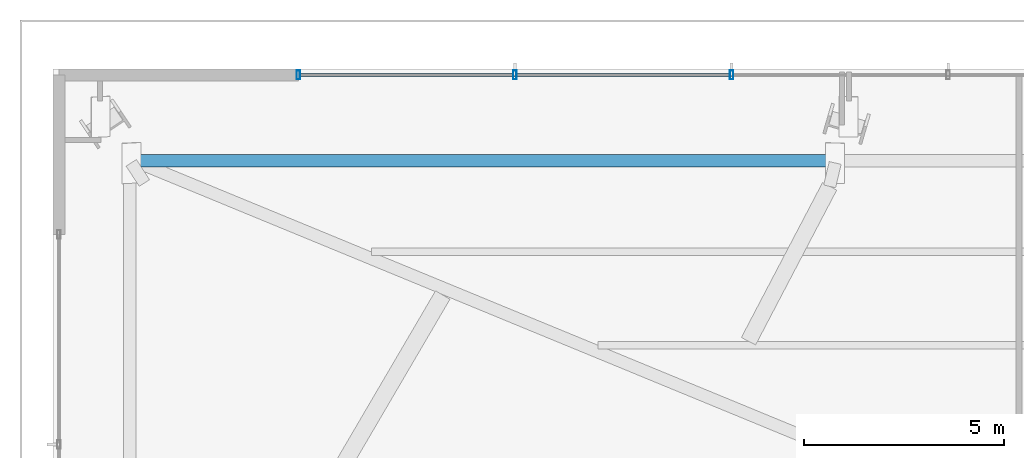
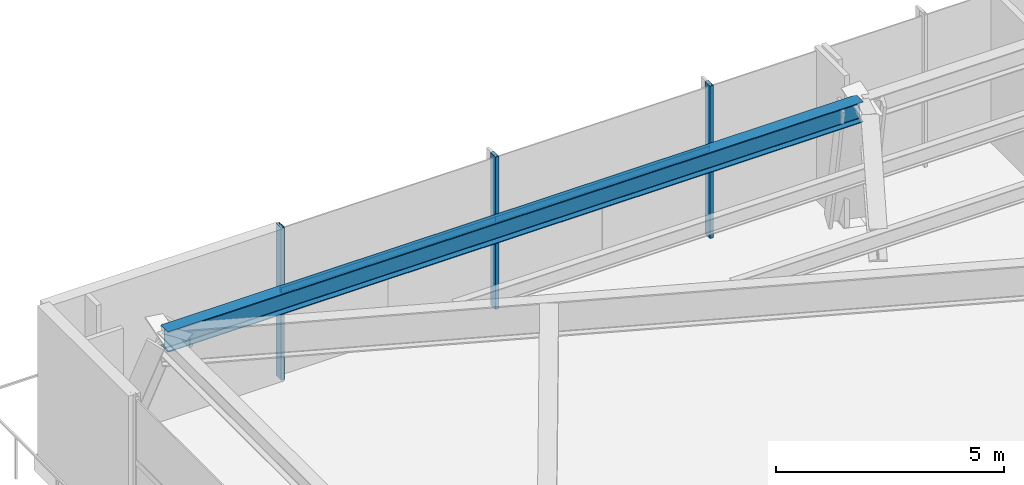
# One storey, part 16 of 36: 5 members, 1 beam, 1 element without a shape of its own.
"""IFC4 building model written with IfcOpenShell, lengths in metres."""

from ifc_helpers import new_model, si_unit, direction, frame, origin, origin_2d, place, context, subcontext, project, spatial, hollow_rectangle, i_section, extrude, source, transform, mapped, material, material_profile, profile_set, type_object, type_shapes, element, aggregate, save


model = new_model("IFC4")

# Units and contexts
model_context = context("Model", 3, precision=1e-05, world=origin(), true_north=direction((0.0, 1.0)))
body_context = subcontext(model_context, "Body", "Model", "MODEL_VIEW")
ifc_project = project(units=[si_unit("LENGTHUNIT", "METRE"), si_unit("AREAUNIT", "SQUARE_METRE"), si_unit("VOLUMEUNIT", "CUBIC_METRE"), si_unit("PLANEANGLEUNIT", "RADIAN"), si_unit("MASSUNIT", "GRAM", prefix="KILO")], contexts=[model_context])

# Site, building, storey
site_placement = place(None, origin())
site = spatial("IfcSite", under=ifc_project, at=site_placement, CompositionType="ELEMENT")
building_placement = place(site_placement, origin())
building = spatial("IfcBuilding", under=site, at=building_placement, Name="Astriad Promenade Condominiums", CompositionType="ELEMENT")
storey_placement = place(building_placement, frame((0.0, 0.0, 5.0)))
storey = spatial("IfcBuildingStorey", under=building, at=storey_placement, Name="L01", CompositionType="ELEMENT", Elevation=5.0)

# Beam
ifc_material_1 = material(Name="Steel ASTM A992 Grade 50", Category="steel")
ifc_material_profile_1 = material_profile(ifc_material_1, i_section(OverallWidth=0.3134765625, OverallDepth=0.54638671875, WebThickness=0.013916015625, FlangeThickness=0.022216796875, FilletRadius=0.0166015625, at=origin_2d()), Name="W21X111")
ifc_profile_set_1 = profile_set([ifc_material_profile_1], Name="Steel ASTM A992 Grade 50")
beam_type = type_object("IfcBeamType", Name="STEEL SPANDREL BEAM W21X111", PredefinedType="SPANDREL", material=ifc_profile_set_1)
shared_shape_1 = source(origin(), body_context, "Body", "SweptSolid", [
    extrude(i_section(OverallWidth=0.3134765625, OverallDepth=0.54638671875, WebThickness=0.013916015625, FlangeThickness=0.022216796875, FilletRadius=0.0166015625, at=origin_2d()), origin(), (0.0, 0.0, 1.0), 17.606689453125),
])
type_shapes(beam_type, [shared_shape_1])
beam_placement = place(storey_placement, frame((21.373291015625, 33.30029296875, 3.806884765625), z_axis=(-1.0, 0.0, 0.0), x_axis=(0.0, -1.0, 0.0)))
element("IfcBeam", 1, at=beam_placement, inside=storey, type_object=beam_type, Name="Perimeter Spandrel Beam SP-N1-L01", PredefinedType="SPANDREL", context=body_context, shape_type="MappedRepresentation", body=[
    mapped(shared_shape_1, transform((0.0, 0.0, 0.0), scale=1.0)),
])

# Curtain wall, members
ifc_material_2 = material(Name="Anodised aluminium Black Dark Glass Unitised", Category="aluminium")
curtain_wall_type = type_object("IfcCurtainWallType", Name="CW-POD-DARK", PredefinedType="USERDEFINED", material=ifc_material_2)
curtain_wall_placement = place(storey_placement, origin())
curtain_wall = element("IfcCurtainWall", 2, at=curtain_wall_placement, inside=storey, type_object=curtain_wall_type, Name="CW-L01-N", ObjectType="UNITISED_CURTAIN_WALL", PredefinedType="USERDEFINED")
ifc_material_3 = material(Name="Anodised aluminium 6063-T6 Black", Category="aluminium")
ifc_material_profile_2 = material_profile(ifc_material_3, hollow_rectangle(XDim=0.0849609375, YDim=0.219970703125, WallThickness=0.0048828125, at=origin_2d()), Name="ALU-MUL-85X220")
ifc_profile_set_2 = profile_set([ifc_material_profile_2], Name="Anodised aluminium 6063-T6 Black")
member_type_1 = type_object("IfcMemberType", Name="MUL-ALU-MUL-85X220", PredefinedType="MULLION", material=ifc_profile_set_2)
shared_shape_2 = source(origin(), body_context, "Body", "SweptSolid", [
    extrude(hollow_rectangle(XDim=0.0849609375, YDim=0.219970703125, WallThickness=0.0048828125, at=origin_2d()), origin(), (0.0, 0.0, 1.0), 4.080078125),
])
type_shapes(member_type_1, [shared_shape_2])
member_1_placement = place(storey_placement, frame((7.949951171875, 35.449951171875, 0.0), z_axis=(0.0, 0.0, 1.0), x_axis=(1.0, 0.0, 0.0)))
member_1 = element("IfcMember", 3, at=member_1_placement, type_object=member_type_1, Name="CW-L01-N-MUL-00", PredefinedType="MULLION", context=body_context, shape_type="MappedRepresentation", body=[
    mapped(shared_shape_2, transform((0.0, 0.0, 0.0), scale=1.0)),
])
member_2_placement = place(storey_placement, frame((13.375, 35.449951171875, 0.0), z_axis=(0.0, 0.0, 1.0), x_axis=(1.0, 0.0, 0.0)))
member_2 = element("IfcMember", 4, at=member_2_placement, type_object=member_type_1, Name="CW-L01-N-MUL-01", PredefinedType="MULLION", context=body_context, shape_type="MappedRepresentation", body=[
    mapped(shared_shape_2, transform((0.0, 0.0, 0.0), scale=1.0)),
])
member_3_placement = place(storey_placement, frame((18.800048828125, 35.449951171875, 0.0), z_axis=(0.0, 0.0, 1.0), x_axis=(1.0, 0.0, 0.0)))
member_3 = element("IfcMember", 5, at=member_3_placement, type_object=member_type_1, Name="CW-L01-N-MUL-02", PredefinedType="MULLION", context=body_context, shape_type="MappedRepresentation", body=[
    mapped(shared_shape_2, transform((0.0, 0.0, 0.0), scale=1.0)),
])
ifc_material_profile_3 = material_profile(ifc_material_3, hollow_rectangle(XDim=0.074951171875, YDim=0.14990234375, WallThickness=0.004150390625, at=origin_2d()), Name="ALU-TRN-75X150")
ifc_profile_set_3 = profile_set([ifc_material_profile_3], Name="Anodised aluminium 6063-T6 Black")
member_type_2 = type_object("IfcMemberType", Name="TRN-ALU-TRN-75X150", PredefinedType="USERDEFINED", material=ifc_profile_set_3)
shared_shape_3 = source(origin(), body_context, "Body", "SweptSolid", [
    extrude(hollow_rectangle(XDim=0.074951171875, YDim=0.14990234375, WallThickness=0.004150390625, at=origin_2d()), origin(), (0.0, 0.0, 1.0), 5.425048828125),
])
type_shapes(member_type_2, [shared_shape_3])
member_4_placement = place(storey_placement, frame((7.949951171875, 35.449951171875, 2.35009765625), z_axis=(1.0, 0.0, 0.0), x_axis=(0.0, 1.0, 0.0)))
member_4 = element("IfcMember", 6, at=member_4_placement, type_object=member_type_2, Name="CW-L01-N-TRN-00-0", ObjectType="TRANSOM", PredefinedType="USERDEFINED", context=body_context, shape_type="MappedRepresentation", body=[
    mapped(shared_shape_3, transform((0.0, 0.0, 0.0), scale=1.0)),
])
member_5_placement = place(storey_placement, frame((13.375, 35.449951171875, 2.35009765625), z_axis=(1.0, 0.0, 0.0), x_axis=(0.0, 1.0, 0.0)))
member_5 = element("IfcMember", 7, at=member_5_placement, type_object=member_type_2, Name="CW-L01-N-TRN-01-0", ObjectType="TRANSOM", PredefinedType="USERDEFINED", context=body_context, shape_type="MappedRepresentation", body=[
    mapped(shared_shape_3, transform((0.0, 0.0, 0.0), scale=1.0)),
])
aggregate(curtain_wall, [member_1, member_2, member_3, member_4, member_5])

save(model, "model.ifc")
